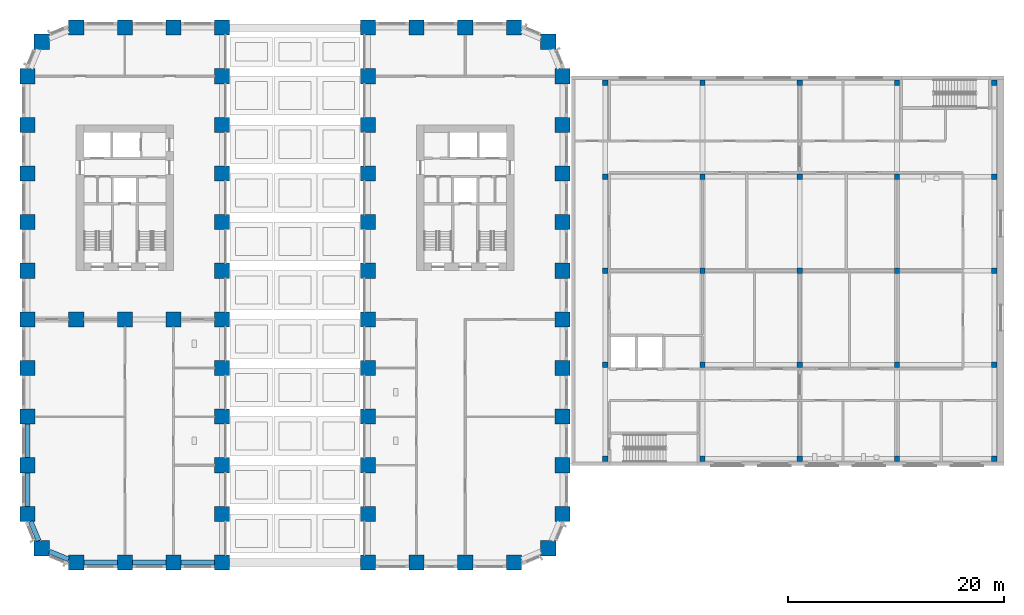
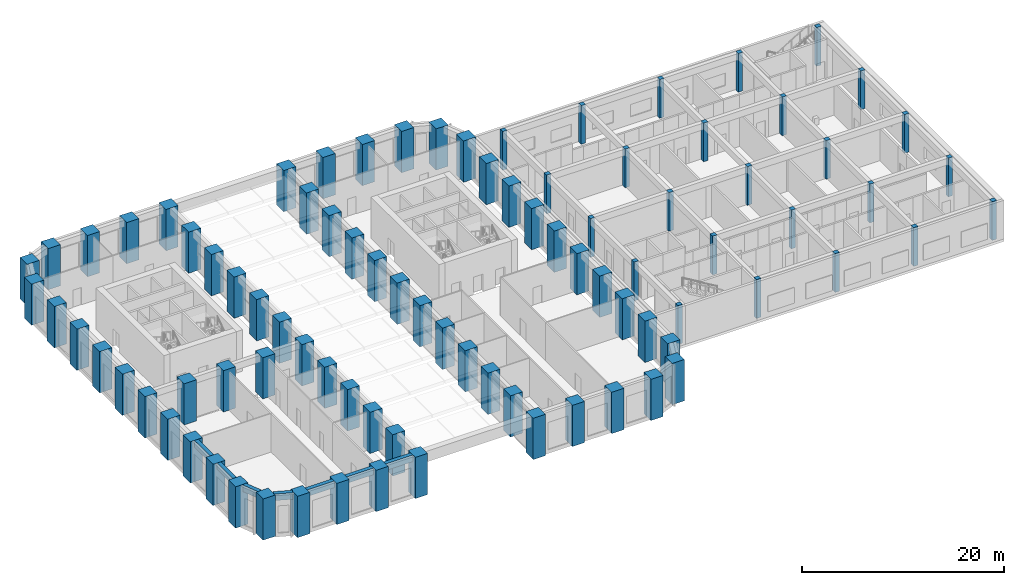
# One storey, part 1 of 24: 88 columns, 7 beams.
"""IFC4 building model written with IfcOpenShell, lengths in metres."""

from ifc_helpers import new_model, si_unit, direction, frame, origin, origin_2d, place, context, subcontext, project, spatial, rectangle, extrude, material, material_profile, profile_set, type_object, element, save


model = new_model("IFC4")

# Units and contexts
model_context = context("Model", 3, precision=1e-05, world=origin(), true_north=direction((0.0, 1.0)))
body_context = subcontext(model_context, "Body", "Model", "MODEL_VIEW")
ifc_project = project(units=[si_unit("LENGTHUNIT", "METRE"), si_unit("AREAUNIT", "SQUARE_METRE"), si_unit("VOLUMEUNIT", "CUBIC_METRE"), si_unit("PLANEANGLEUNIT", "RADIAN"), si_unit("MASSUNIT", "GRAM", prefix="KILO")], contexts=[model_context])

# Site, building, storey
site_placement = place(None, origin())
site = spatial("IfcSite", under=ifc_project, at=site_placement, CompositionType="ELEMENT")
building_placement = place(site_placement, origin())
building = spatial("IfcBuilding", under=site, at=building_placement, Name="Girih Gate Residences", CompositionType="ELEMENT")
storey_placement = place(building_placement, frame((0.0, 0.0, 16.0)))
storey = spatial("IfcBuildingStorey", under=building, at=storey_placement, Name="L03", CompositionType="ELEMENT", Elevation=16.0)

# Columns
ifc_material_1 = material(Name="Concrete C50/60", Category="concrete")
ifc_material_profile_1 = material_profile(ifc_material_1, rectangle(XDim=0.5, YDim=0.5, at=origin_2d()))
ifc_profile_set_1 = profile_set([ifc_material_profile_1], Name="Concrete C50/60")
column_type_1 = type_object("IfcColumnType", Name="HC Column 500x500 C50/60", PredefinedType="COLUMN", material=ifc_profile_set_1)
for number, where, z_axis, x_axis, name in (
    (1, (53.449951171875, 9.60009765625, 0.0), (0.0, 0.0, 1.0), (1.0, 0.0, 0.0), "L03 column H1/HA"),
    (2, (53.449951171875, 18.300048828125, 0.0), (0.0, 0.0, 1.0), (1.0, 0.0, 0.0), "L03 column H1/HB"),
    (3, (53.449951171875, 27.0, 0.0), (0.0, 0.0, 1.0), (1.0, 0.0, 0.0), "L03 column H1/HC"),
    (4, (53.449951171875, 35.699951171875, 0.0), (0.0, 0.0, 1.0), (1.0, 0.0, 0.0), "L03 column H1/HD"),
    (5, (53.449951171875, 44.39990234375, 0.0), (0.0, 0.0, 1.0), (1.0, 0.0, 0.0), "L03 column H1/HE"),
    (6, (62.449951171875, 9.60009765625, 0.0), (0.0, 0.0, 1.0), (1.0, 0.0, 0.0), "L03 column H2/HA"),
    (7, (62.449951171875, 18.300048828125, 0.0), (0.0, 0.0, 1.0), (1.0, 0.0, 0.0), "L03 column H2/HB"),
    (8, (62.449951171875, 27.0, 0.0), (0.0, 0.0, 1.0), (1.0, 0.0, 0.0), "L03 column H2/HC"),
    (9, (62.449951171875, 35.699951171875, 0.0), (0.0, 0.0, 1.0), (1.0, 0.0, 0.0), "L03 column H2/HD"),
    (10, (62.449951171875, 44.39990234375, 0.0), (0.0, 0.0, 1.0), (1.0, 0.0, 0.0), "L03 column H2/HE"),
    (11, (71.449951171875, 9.60009765625, 0.0), (0.0, 0.0, 1.0), (1.0, 0.0, 0.0), "L03 column H3/HA"),
    (12, (71.449951171875, 18.300048828125, 0.0), (0.0, 0.0, 1.0), (1.0, 0.0, 0.0), "L03 column H3/HB"),
    (13, (71.449951171875, 27.0, 0.0), (0.0, 0.0, 1.0), (1.0, 0.0, 0.0), "L03 column H3/HC"),
    (14, (71.449951171875, 35.699951171875, 0.0), (0.0, 0.0, 1.0), (1.0, 0.0, 0.0), "L03 column H3/HD"),
    (15, (71.449951171875, 44.39990234375, 0.0), (0.0, 0.0, 1.0), (1.0, 0.0, 0.0), "L03 column H3/HE"),
    (16, (80.449951171875, 9.60009765625, 0.0), (0.0, 0.0, 1.0), (1.0, 0.0, 0.0), "L03 column H4/HA"),
    (17, (80.449951171875, 18.300048828125, 0.0), (0.0, 0.0, 1.0), (1.0, 0.0, 0.0), "L03 column H4/HB"),
    (18, (80.449951171875, 27.0, 0.0), (0.0, 0.0, 1.0), (1.0, 0.0, 0.0), "L03 column H4/HC"),
    (19, (80.449951171875, 35.699951171875, 0.0), (0.0, 0.0, 1.0), (1.0, 0.0, 0.0), "L03 column H4/HD"),
    (20, (80.449951171875, 44.39990234375, 0.0), (0.0, 0.0, 1.0), (1.0, 0.0, 0.0), "L03 column H4/HE"),
    (21, (89.449951171875, 9.60009765625, 0.0), (0.0, 0.0, 1.0), (1.0, 0.0, 0.0), "L03 column H5/HA"),
    (22, (89.449951171875, 18.300048828125, 0.0), (0.0, 0.0, 1.0), (1.0, 0.0, 0.0), "L03 column H5/HB"),
    (23, (89.449951171875, 27.0, 0.0), (0.0, 0.0, 1.0), (1.0, 0.0, 0.0), "L03 column H5/HC"),
    (24, (89.449951171875, 35.699951171875, 0.0), (0.0, 0.0, 1.0), (1.0, 0.0, 0.0), "L03 column H5/HD"),
    (25, (89.449951171875, 44.39990234375, 0.0), (0.0, 0.0, 1.0), (1.0, 0.0, 0.0), "L03 column H5/HE"),
):
    element("IfcColumn", number, at=place(storey_placement, frame(where, z_axis=z_axis, x_axis=x_axis)), inside=storey, type_object=column_type_1, Name=name, PredefinedType="COLUMN", context=body_context, shape_type="SweptSolid", body=[
        extrude(rectangle(XDim=0.5, YDim=0.5, at=origin_2d()), origin(), (0.0, 0.0, 1.0), 4.699951171875),
    ])
ifc_material_2 = material(Name="Concrete C80/95", Category="concrete")
ifc_material_profile_2 = material_profile(ifc_material_2, rectangle(XDim=1.39990234375, YDim=1.39990234375, at=origin_2d()))
ifc_profile_set_2 = profile_set([ifc_material_profile_2], Name="Concrete C80/95")
column_type_2 = type_object("IfcColumnType", Name="Pier RC 1400x1400 Concrete C80/95", PredefinedType="COLUMN", material=ifc_profile_set_2)
for number, where, z_axis, x_axis, name in (
    (26, (4.5, 0.0, 0.0), (0.0, 0.0, 1.0), (1.0, 0.0, 0.0), "Pier P2A L03"),
    (27, (9.0, 0.0, 0.0), (0.0, 0.0, 1.0), (1.0, 0.0, 0.0), "Pier P3A L03"),
    (28, (13.5, 0.0, 0.0), (0.0, 0.0, 1.0), (1.0, 0.0, 0.0), "Pier P4A L03"),
    (29, (18.0, 0.0, 0.0), (0.0, 0.0, 1.0), (1.0, 0.0, 0.0), "Pier P5A L03"),
    (30, (31.5, 0.0, 0.0), (0.0, 0.0, 1.0), (1.0, 0.0, 0.0), "Pier P8A L03"),
    (31, (36.0, 0.0, 0.0), (0.0, 0.0, 1.0), (1.0, 0.0, 0.0), "Pier P9A L03"),
    (32, (40.5, 0.0, 0.0), (0.0, 0.0, 1.0), (1.0, 0.0, 0.0), "Pier P10A L03"),
    (33, (45.0, 0.0, 0.0), (0.0, 0.0, 1.0), (1.0, 0.0, 0.0), "Pier P11A L03"),
    (34, (1.318115234375, 1.318115234375, 0.0), (0.0, 0.0, 1.0), (1.0, 0.0, 0.0), "Pier P1ANE L03"),
    (35, (48.181884765625, 1.318115234375, 0.0), (0.0, 0.0, 1.0), (1.0, 0.0, 0.0), "Pier P12ANW L03"),
    (36, (0.0, 4.5, 0.0), (0.0, 0.0, 1.0), (1.0, 0.0, 0.0), "Pier P1B L03"),
    (37, (18.0, 4.5, 0.0), (0.0, 0.0, 1.0), (1.0, 0.0, 0.0), "Pier P5B L03"),
    (38, (31.5, 4.5, 0.0), (0.0, 0.0, 1.0), (1.0, 0.0, 0.0), "Pier P8B L03"),
    (39, (49.5, 4.5, 0.0), (0.0, 0.0, 1.0), (1.0, 0.0, 0.0), "Pier P12B L03"),
    (40, (0.0, 9.0, 0.0), (0.0, 0.0, 1.0), (1.0, 0.0, 0.0), "Pier P1C L03"),
    (41, (18.0, 9.0, 0.0), (0.0, 0.0, 1.0), (1.0, 0.0, 0.0), "Pier P5C L03"),
    (42, (31.5, 9.0, 0.0), (0.0, 0.0, 1.0), (1.0, 0.0, 0.0), "Pier P8C L03"),
    (43, (49.5, 9.0, 0.0), (0.0, 0.0, 1.0), (1.0, 0.0, 0.0), "Pier P12C L03"),
    (44, (0.0, 13.5, 0.0), (0.0, 0.0, 1.0), (1.0, 0.0, 0.0), "Pier P1D L03"),
    (45, (18.0, 13.5, 0.0), (0.0, 0.0, 1.0), (1.0, 0.0, 0.0), "Pier P5D L03"),
    (46, (31.5, 13.5, 0.0), (0.0, 0.0, 1.0), (1.0, 0.0, 0.0), "Pier P8D L03"),
    (47, (49.5, 13.5, 0.0), (0.0, 0.0, 1.0), (1.0, 0.0, 0.0), "Pier P12D L03"),
    (48, (0.0, 18.0, 0.0), (0.0, 0.0, 1.0), (1.0, 0.0, 0.0), "Pier P1E L03"),
    (49, (18.0, 18.0, 0.0), (0.0, 0.0, 1.0), (1.0, 0.0, 0.0), "Pier P5E L03"),
    (50, (31.5, 18.0, 0.0), (0.0, 0.0, 1.0), (1.0, 0.0, 0.0), "Pier P8E L03"),
    (51, (49.5, 18.0, 0.0), (0.0, 0.0, 1.0), (1.0, 0.0, 0.0), "Pier P12E L03"),
    (52, (0.0, 22.5, 0.0), (0.0, 0.0, 1.0), (1.0, 0.0, 0.0), "Pier P1F L03"),
    (53, (4.5, 22.5, 0.0), (0.0, 0.0, 1.0), (1.0, 0.0, 0.0), "Pier P2F L03"),
    (54, (9.0, 22.5, 0.0), (0.0, 0.0, 1.0), (1.0, 0.0, 0.0), "Pier P3F L03"),
    (55, (13.5, 22.5, 0.0), (0.0, 0.0, 1.0), (1.0, 0.0, 0.0), "Pier P4F L03"),
    (56, (18.0, 22.5, 0.0), (0.0, 0.0, 1.0), (1.0, 0.0, 0.0), "Pier P5F L03"),
    (57, (31.5, 22.5, 0.0), (0.0, 0.0, 1.0), (1.0, 0.0, 0.0), "Pier P8F L03"),
    (58, (49.5, 22.5, 0.0), (0.0, 0.0, 1.0), (1.0, 0.0, 0.0), "Pier P12F L03"),
    (59, (0.0, 27.0, 0.0), (0.0, 0.0, 1.0), (1.0, 0.0, 0.0), "Pier P1G L03"),
    (60, (18.0, 27.0, 0.0), (0.0, 0.0, 1.0), (1.0, 0.0, 0.0), "Pier P5G L03"),
    (61, (31.5, 27.0, 0.0), (0.0, 0.0, 1.0), (1.0, 0.0, 0.0), "Pier P8G L03"),
    (62, (49.5, 27.0, 0.0), (0.0, 0.0, 1.0), (1.0, 0.0, 0.0), "Pier P12G L03"),
    (63, (0.0, 31.5, 0.0), (0.0, 0.0, 1.0), (1.0, 0.0, 0.0), "Pier P1H L03"),
    (64, (18.0, 31.5, 0.0), (0.0, 0.0, 1.0), (1.0, 0.0, 0.0), "Pier P5H L03"),
    (65, (31.5, 31.5, 0.0), (0.0, 0.0, 1.0), (1.0, 0.0, 0.0), "Pier P8H L03"),
    (66, (49.5, 31.5, 0.0), (0.0, 0.0, 1.0), (1.0, 0.0, 0.0), "Pier P12H L03"),
    (67, (0.0, 36.0, 0.0), (0.0, 0.0, 1.0), (1.0, 0.0, 0.0), "Pier P1I L03"),
    (68, (18.0, 36.0, 0.0), (0.0, 0.0, 1.0), (1.0, 0.0, 0.0), "Pier P5I L03"),
    (69, (31.5, 36.0, 0.0), (0.0, 0.0, 1.0), (1.0, 0.0, 0.0), "Pier P8I L03"),
    (70, (49.5, 36.0, 0.0), (0.0, 0.0, 1.0), (1.0, 0.0, 0.0), "Pier P12I L03"),
    (71, (0.0, 40.5, 0.0), (0.0, 0.0, 1.0), (1.0, 0.0, 0.0), "Pier P1J L03"),
    (72, (18.0, 40.5, 0.0), (0.0, 0.0, 1.0), (1.0, 0.0, 0.0), "Pier P5J L03"),
    (73, (31.5, 40.5, 0.0), (0.0, 0.0, 1.0), (1.0, 0.0, 0.0), "Pier P8J L03"),
    (74, (49.5, 40.5, 0.0), (0.0, 0.0, 1.0), (1.0, 0.0, 0.0), "Pier P12J L03"),
    (75, (0.0, 45.0, 0.0), (0.0, 0.0, 1.0), (1.0, 0.0, 0.0), "Pier P1K L03"),
    (76, (18.0, 45.0, 0.0), (0.0, 0.0, 1.0), (1.0, 0.0, 0.0), "Pier P5K L03"),
    (77, (31.5, 45.0, 0.0), (0.0, 0.0, 1.0), (1.0, 0.0, 0.0), "Pier P8K L03"),
    (78, (49.5, 45.0, 0.0), (0.0, 0.0, 1.0), (1.0, 0.0, 0.0), "Pier P12K L03"),
    (79, (1.318115234375, 48.181884765625, 0.0), (0.0, 0.0, 1.0), (1.0, 0.0, 0.0), "Pier P1LSE L03"),
    (80, (48.181884765625, 48.181884765625, 0.0), (0.0, 0.0, 1.0), (1.0, 0.0, 0.0), "Pier P12LSW L03"),
    (81, (4.5, 49.5, 0.0), (0.0, 0.0, 1.0), (1.0, 0.0, 0.0), "Pier P2L L03"),
    (82, (9.0, 49.5, 0.0), (0.0, 0.0, 1.0), (1.0, 0.0, 0.0), "Pier P3L L03"),
    (83, (13.5, 49.5, 0.0), (0.0, 0.0, 1.0), (1.0, 0.0, 0.0), "Pier P4L L03"),
    (84, (18.0, 49.5, 0.0), (0.0, 0.0, 1.0), (1.0, 0.0, 0.0), "Pier P5L L03"),
    (85, (31.5, 49.5, 0.0), (0.0, 0.0, 1.0), (1.0, 0.0, 0.0), "Pier P8L L03"),
    (86, (36.0, 49.5, 0.0), (0.0, 0.0, 1.0), (1.0, 0.0, 0.0), "Pier P9L L03"),
    (87, (40.5, 49.5, 0.0), (0.0, 0.0, 1.0), (1.0, 0.0, 0.0), "Pier P10L L03"),
    (88, (45.0, 49.5, 0.0), (0.0, 0.0, 1.0), (1.0, 0.0, 0.0), "Pier P11L L03"),
):
    element("IfcColumn", number, at=place(storey_placement, frame(where, z_axis=z_axis, x_axis=x_axis)), inside=storey, type_object=column_type_2, Name=name, PredefinedType="COLUMN", context=body_context, shape_type="SweptSolid", body=[
        extrude(rectangle(XDim=1.39990234375, YDim=1.39990234375, at=origin_2d()), origin(), (0.0, 0.0, 1.0), 5.0),
    ])

# Beams
ifc_material_3 = material(Name="Concrete C60/75", Category="concrete")
ifc_material_profile_3 = material_profile(ifc_material_3, rectangle(XDim=0.449951171875, YDim=0.800048828125, at=origin_2d()))
ifc_profile_set_3 = profile_set([ifc_material_profile_3], Name="Concrete C60/75")
beam_type = type_object("IfcBeamType", Name="Spandrel girder RC 450x800 Concrete C60/75", PredefinedType="BEAM", material=ifc_profile_set_3)
for number, where, z_axis, x_axis, name in (
    (89, (0.0, 12.800048828125, 4.60009765625), (0.0, -1.0, 0.0), (1.0, 0.0, 0.0), "Spandrel girder SP-P1D-P1C L03"),
    (90, (0.0, 8.300048828125, 4.60009765625), (0.0, -1.0, 0.0), (1.0, 0.0, 0.0), "Spandrel girder SP-P1C-P1B L03"),
):
    element("IfcBeam", number, at=place(storey_placement, frame(where, z_axis=z_axis, x_axis=x_axis)), inside=storey, type_object=beam_type, Name=name, PredefinedType="BEAM", context=body_context, shape_type="SweptSolid", body=[
        extrude(rectangle(XDim=0.449951171875, YDim=0.800048828125, at=origin_2d()), origin(), (0.0, 0.0, 1.0), 3.10009765625),
    ])
for number, where, z_axis, x_axis, name in (
    (91, (0.2900390625, 3.800048828125, 4.60009765625), (0.382646180293, -0.923894961945, 0.0), (0.923894961945, 0.382646180293, 0.0), "Spandrel girder SP-P1B-P1ANE L03"),
    (92, (2.01806640625, 1.028076171875, 4.60009765625), (0.923894961945, -0.382646180293, 0.0), (0.382646180293, 0.923894961945, 0.0), "Spandrel girder SP-P1ANE-P2A L03"),
):
    element("IfcBeam", number, at=place(storey_placement, frame(where, z_axis=z_axis, x_axis=x_axis)), inside=storey, type_object=beam_type, Name=name, PredefinedType="BEAM", context=body_context, shape_type="SweptSolid", body=[
        extrude(rectangle(XDim=0.449951171875, YDim=0.800048828125, at=origin_2d()), origin(), (0.0, 0.0, 1.0), 1.9287109375),
    ])
for number, where, z_axis, x_axis, name in (
    (93, (5.199951171875, 0.0, 4.60009765625), (1.0, 0.0, 0.0), (0.0, 1.0, 0.0), "Spandrel girder SP-P2A-P3A L03"),
    (94, (9.699951171875, 0.0, 4.60009765625), (1.0, 0.0, 0.0), (0.0, 1.0, 0.0), "Spandrel girder SP-P3A-P4A L03"),
    (95, (14.199951171875, 0.0, 4.60009765625), (1.0, 0.0, 0.0), (0.0, 1.0, 0.0), "Spandrel girder SP-P4A-P5A L03"),
):
    element("IfcBeam", number, at=place(storey_placement, frame(where, z_axis=z_axis, x_axis=x_axis)), inside=storey, type_object=beam_type, Name=name, PredefinedType="BEAM", context=body_context, shape_type="SweptSolid", body=[
        extrude(rectangle(XDim=0.449951171875, YDim=0.800048828125, at=origin_2d()), origin(), (0.0, 0.0, 1.0), 3.10009765625),
    ])

save(model, "model.ifc")
